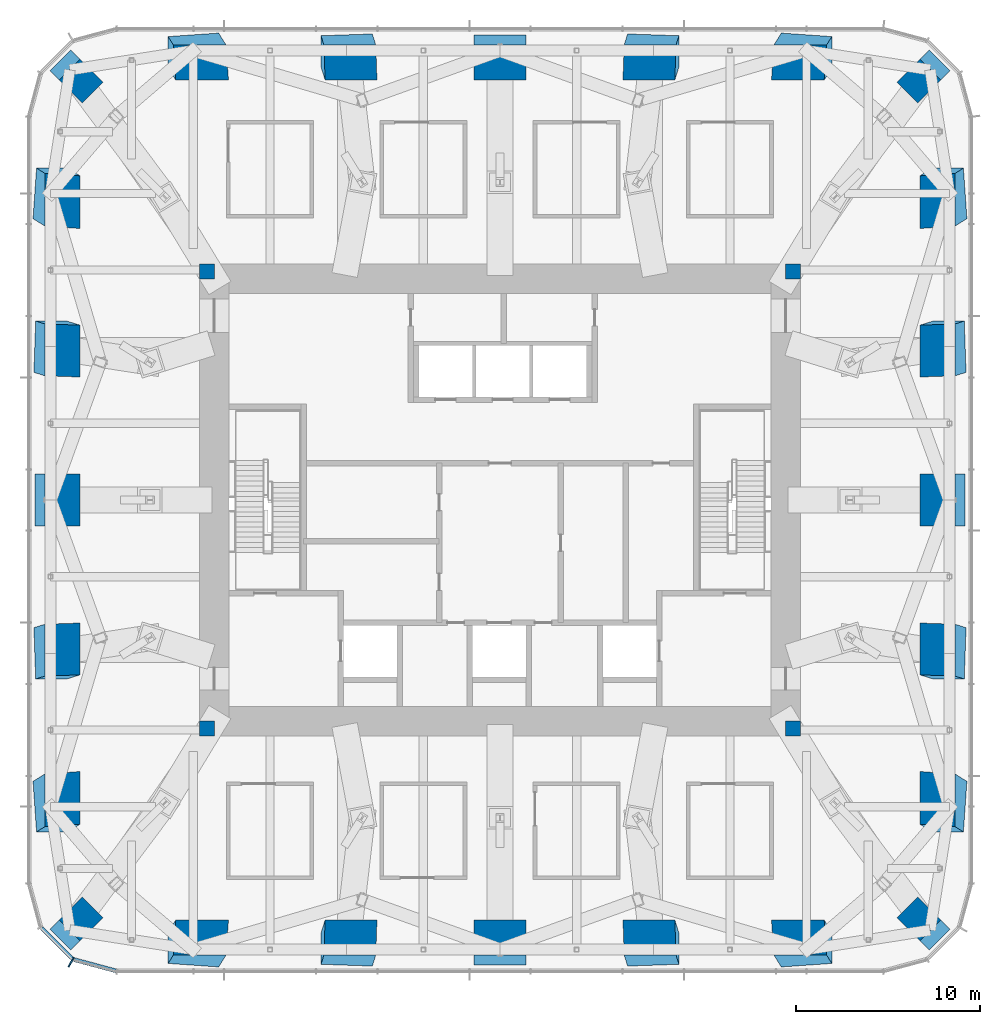
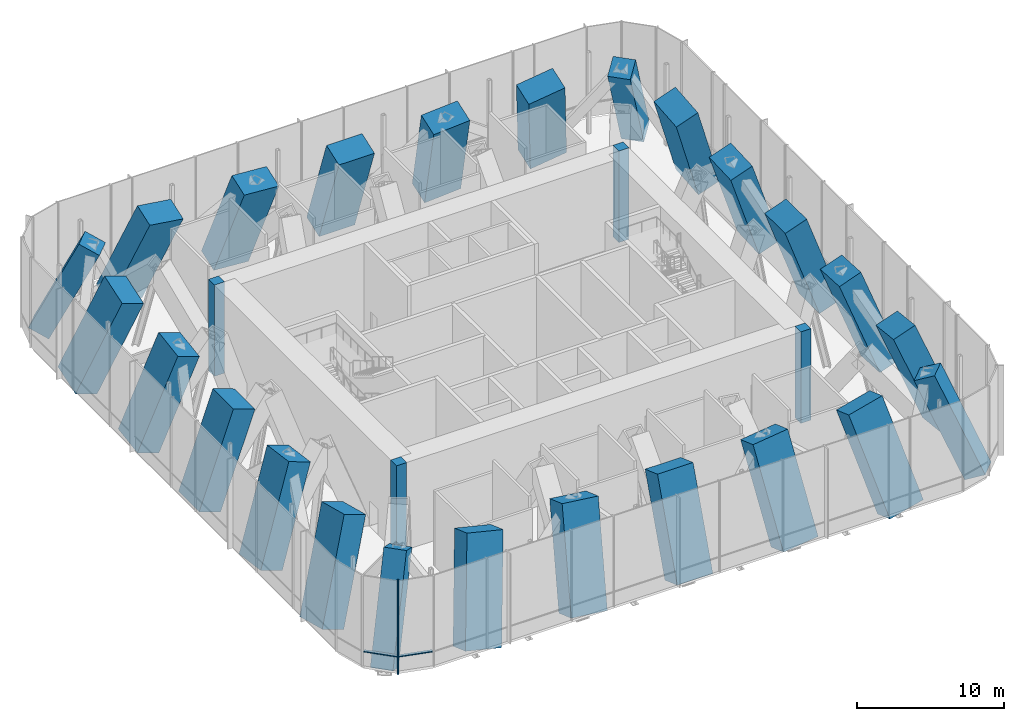
# One storey, part 1 of 16: 28 columns, 3 members, 1 element without a shape of its own.
"""IFC4 building model written with IfcOpenShell, lengths in metres."""

from ifc_helpers import new_model, si_unit, direction, frame, origin, origin_2d, place, context, subcontext, project, spatial, rectangle, extrude, material, material_profile, profile_set, type_object, element, aggregate, save


model = new_model("IFC4")

# Units and contexts
model_context = context("Model", 3, precision=1e-05, world=origin(), true_north=direction((0.0, 1.0)))
body_context = subcontext(model_context, "Body", "Model", "MODEL_VIEW")
ifc_project = project(units=[si_unit("LENGTHUNIT", "METRE"), si_unit("AREAUNIT", "SQUARE_METRE"), si_unit("VOLUMEUNIT", "CUBIC_METRE"), si_unit("PLANEANGLEUNIT", "RADIAN"), si_unit("MASSUNIT", "GRAM", prefix="KILO")], contexts=[model_context])

# Site, building, storey
site_placement = place(None, origin())
site = spatial("IfcSite", under=ifc_project, at=site_placement, CompositionType="ELEMENT")
building_placement = place(site_placement, origin())
building = spatial("IfcBuilding", under=site, at=building_placement, Name="Khuree Lantern Residences", CompositionType="ELEMENT")
storey_placement = place(building_placement, frame((0.0, 0.0, 278.25)))
storey = spatial("IfcBuildingStorey", under=building, at=storey_placement, Name="L70", CompositionType="ELEMENT", Elevation=278.25)

# Columns
ifc_material_1 = material(Name="Concrete C70/85", Category="concrete")
ifc_material_profile_1 = material_profile(ifc_material_1, rectangle(XDim=1.60009765625, YDim=1.60009765625, at=origin_2d()), Name="RC 1600X1600")
ifc_profile_set_1 = profile_set([ifc_material_profile_1], Name="Concrete C70/85")
column_type_1 = type_object("IfcColumnType", Name="CC1600A PERIMETER CORNER COLUMN RC 1600X1600", PredefinedType="COLUMN", material=ifc_profile_set_1)
for number, where, z_axis, x_axis, name in (
    (1, (23.345703125, 23.345703125, -0.64990234375), (-0.300646716557, -0.300646716557, 0.905109442911), (0.707106781187, -0.707106781187, 0.0), "Perimeter column NE"),
    (2, (23.345703125, -23.345703125, -0.64990234375), (-0.300646716557, 0.300646716557, 0.905109442911), (0.707106781187, 0.707106781187, 0.0), "Perimeter column SE"),
    (3, (-23.345703125, -23.345703125, -0.64990234375), (0.300646716557, 0.300646716557, 0.905109442911), (0.707106781187, -0.707106781187, 0.0), "Perimeter column SW"),
    (4, (-23.345703125, 23.345703125, -0.64990234375), (0.300646716557, -0.300646716557, 0.905109442911), (0.707106781187, 0.707106781187, 0.0), "Perimeter column NW"),
):
    element("IfcColumn", number, at=place(storey_placement, frame(where, z_axis=z_axis, x_axis=x_axis)), inside=storey, type_object=column_type_1, Name=name, PredefinedType="COLUMN", context=body_context, shape_type="SweptSolid", body=[
        extrude(rectangle(XDim=1.60009765625, YDim=1.60009765625, at=origin_2d()), origin(), (0.0, 0.0, 1.0), 8.396728515625),
    ])
ifc_material_2 = material(Name="Concrete C50/60", Category="concrete")
ifc_material_profile_2 = material_profile(ifc_material_2, rectangle(XDim=0.800048828125, YDim=0.800048828125, at=origin_2d()), Name="RC 800X800")
ifc_profile_set_2 = profile_set([ifc_material_profile_2], Name="Concrete C50/60")
column_type_2 = type_object("IfcColumnType", Name="CP800-C50 CORE CORNER PIER C50 RC 800X800", PredefinedType="COLUMN", material=ifc_profile_set_2)
for number, where, z_axis, x_axis, name in (
    (5, (15.89990234375, 12.39990234375, -0.35009765625), (0.0, 0.0, 1.0), (1.0, 0.0, 0.0), "Core corner pier NE"),
    (6, (-15.89990234375, 12.39990234375, -0.35009765625), (0.0, 0.0, 1.0), (1.0, 0.0, 0.0), "Core corner pier NW"),
    (7, (-15.89990234375, -12.39990234375, -0.35009765625), (0.0, 0.0, 1.0), (1.0, 0.0, 0.0), "Core corner pier SW"),
    (8, (15.89990234375, -12.39990234375, -0.35009765625), (0.0, 0.0, 1.0), (1.0, 0.0, 0.0), "Core corner pier SE"),
):
    element("IfcColumn", number, at=place(storey_placement, frame(where, z_axis=z_axis, x_axis=x_axis)), inside=storey, type_object=column_type_2, Name=name, PredefinedType="COLUMN", context=body_context, shape_type="SweptSolid", body=[
        extrude(rectangle(XDim=0.800048828125, YDim=0.800048828125, at=origin_2d()), origin(), (0.0, 0.0, 1.0), 7.60009765625),
    ])
ifc_material_profile_3 = material_profile(ifc_material_1, rectangle(XDim=2.800048828125, YDim=1.800048828125, at=origin_2d()), Name="RC 2800X1800")
ifc_profile_set_3 = profile_set([ifc_material_profile_3], Name="Concrete C70/85")
column_type_3 = type_object("IfcColumnType", Name="PC2 PERIMETER COLUMN RC 2800X1800", PredefinedType="COLUMN", material=ifc_profile_set_3)
column_1_placement = place(storey_placement, frame((-16.639892578125, 24.39990234375, -0.64990234375), z_axis=(0.203917129379, -0.327731366633, 0.922502008492), x_axis=(0.978988153279, 0.068255512614, -0.192154575114)))
element("IfcColumn", 9, at=column_1_placement, inside=storey, type_object=column_type_3, Name="Perimeter column N1", PredefinedType="COLUMN", context=body_context, shape_type="SweptSolid", body=[
    extrude(rectangle(XDim=2.800048828125, YDim=1.800048828125, at=origin_2d()), origin(), (0.0, 0.0, 1.0), 8.23828125),
])
column_2_placement = place(storey_placement, frame((-8.320068359375, 24.39990234375, -0.64990234375), z_axis=(0.103601510687, -0.332963994967, 0.937230870724), x_axis=(0.994618884766, 0.034712905596, -0.097612951251)))
element("IfcColumn", 10, at=column_2_placement, inside=storey, type_object=column_type_3, Name="Perimeter column N2", PredefinedType="COLUMN", context=body_context, shape_type="SweptSolid", body=[
    extrude(rectangle(XDim=2.800048828125, YDim=1.800048828125, at=origin_2d()), origin(), (0.0, 0.0, 1.0), 8.10888671875),
])
column_3_placement = place(storey_placement, frame((0.0, 24.39990234375, -0.64990234375), z_axis=(0.0, -0.334765406017, 0.942301503201), x_axis=(1.0, 0.0, 0.0)))
element("IfcColumn", 11, at=column_3_placement, inside=storey, type_object=column_type_3, Name="Perimeter column N3", PredefinedType="COLUMN", context=body_context, shape_type="SweptSolid", body=[
    extrude(rectangle(XDim=2.800048828125, YDim=1.800048828125, at=origin_2d()), origin(), (0.0, 0.0, 1.0), 8.065185546875),
])
column_4_placement = place(storey_placement, frame((8.320068359375, 24.39990234375, -0.64990234375), z_axis=(-0.103601510687, -0.332963994967, 0.937230870724), x_axis=(0.994618884766, -0.034712905596, 0.097612951251)))
element("IfcColumn", 12, at=column_4_placement, inside=storey, type_object=column_type_3, Name="Perimeter column N4", PredefinedType="COLUMN", context=body_context, shape_type="SweptSolid", body=[
    extrude(rectangle(XDim=2.800048828125, YDim=1.800048828125, at=origin_2d()), origin(), (0.0, 0.0, 1.0), 8.10888671875),
])
for number, where, z_axis, x_axis, name in (
    (13, (16.639892578125, 24.39990234375, -0.64990234375), (-0.203917129379, -0.327731366633, 0.922502008492), (0.978988153279, -0.068255512614, 0.192154575114), "Perimeter column N5"),
    (14, (24.39990234375, 16.639892578125, -0.64990234375), (-0.327731366633, -0.203917129379, 0.922502008492), (-0.068255512614, 0.978988153279, 0.192154575114), "Perimeter column E1"),
):
    element("IfcColumn", number, at=place(storey_placement, frame(where, z_axis=z_axis, x_axis=x_axis)), inside=storey, type_object=column_type_3, Name=name, PredefinedType="COLUMN", context=body_context, shape_type="SweptSolid", body=[
        extrude(rectangle(XDim=2.800048828125, YDim=1.800048828125, at=origin_2d()), origin(), (0.0, 0.0, 1.0), 8.23828125),
    ])
column_5_placement = place(storey_placement, frame((24.39990234375, 8.320068359375, -0.64990234375), z_axis=(-0.332963994967, -0.103601510687, 0.937230870724), x_axis=(-0.034712905596, 0.994618884766, 0.097612951251)))
element("IfcColumn", 15, at=column_5_placement, inside=storey, type_object=column_type_3, Name="Perimeter column E2", PredefinedType="COLUMN", context=body_context, shape_type="SweptSolid", body=[
    extrude(rectangle(XDim=2.800048828125, YDim=1.800048828125, at=origin_2d()), origin(), (0.0, 0.0, 1.0), 8.10888671875),
])
column_6_placement = place(storey_placement, frame((24.39990234375, 0.0, -0.64990234375), z_axis=(-0.334765406017, 0.0, 0.942301503201), x_axis=(0.0, 1.0, 0.0)))
element("IfcColumn", 16, at=column_6_placement, inside=storey, type_object=column_type_3, Name="Perimeter column E3", PredefinedType="COLUMN", context=body_context, shape_type="SweptSolid", body=[
    extrude(rectangle(XDim=2.800048828125, YDim=1.800048828125, at=origin_2d()), origin(), (0.0, 0.0, 1.0), 8.065185546875),
])
column_7_placement = place(storey_placement, frame((24.39990234375, -8.320068359375, -0.64990234375), z_axis=(-0.332963994967, 0.103601510687, 0.937230870724), x_axis=(0.034712905596, 0.994618884766, -0.097612951251)))
element("IfcColumn", 17, at=column_7_placement, inside=storey, type_object=column_type_3, Name="Perimeter column E4", PredefinedType="COLUMN", context=body_context, shape_type="SweptSolid", body=[
    extrude(rectangle(XDim=2.800048828125, YDim=1.800048828125, at=origin_2d()), origin(), (0.0, 0.0, 1.0), 8.10888671875),
])
for number, where, z_axis, x_axis, name in (
    (18, (24.39990234375, -16.639892578125, -0.64990234375), (-0.327731366633, 0.203917129379, 0.922502008492), (0.068255512614, 0.978988153279, -0.192154575114), "Perimeter column E5"),
    (19, (16.639892578125, -24.39990234375, -0.64990234375), (-0.203917129379, 0.327731366633, 0.922502008492), (0.978988153279, 0.068255512614, 0.192154575114), "Perimeter column S1"),
):
    element("IfcColumn", number, at=place(storey_placement, frame(where, z_axis=z_axis, x_axis=x_axis)), inside=storey, type_object=column_type_3, Name=name, PredefinedType="COLUMN", context=body_context, shape_type="SweptSolid", body=[
        extrude(rectangle(XDim=2.800048828125, YDim=1.800048828125, at=origin_2d()), origin(), (0.0, 0.0, 1.0), 8.23828125),
    ])
column_8_placement = place(storey_placement, frame((8.320068359375, -24.39990234375, -0.64990234375), z_axis=(-0.103601510687, 0.332963994967, 0.937230870724), x_axis=(0.994618884766, 0.034712905596, 0.097612951251)))
element("IfcColumn", 20, at=column_8_placement, inside=storey, type_object=column_type_3, Name="Perimeter column S2", PredefinedType="COLUMN", context=body_context, shape_type="SweptSolid", body=[
    extrude(rectangle(XDim=2.800048828125, YDim=1.800048828125, at=origin_2d()), origin(), (0.0, 0.0, 1.0), 8.10888671875),
])
column_9_placement = place(storey_placement, frame((0.0, -24.39990234375, -0.64990234375), z_axis=(0.0, 0.334765406017, 0.942301503201), x_axis=(1.0, 0.0, 0.0)))
element("IfcColumn", 21, at=column_9_placement, inside=storey, type_object=column_type_3, Name="Perimeter column S3", PredefinedType="COLUMN", context=body_context, shape_type="SweptSolid", body=[
    extrude(rectangle(XDim=2.800048828125, YDim=1.800048828125, at=origin_2d()), origin(), (0.0, 0.0, 1.0), 8.065185546875),
])
column_10_placement = place(storey_placement, frame((-8.320068359375, -24.39990234375, -0.64990234375), z_axis=(0.103601510687, 0.332963994967, 0.937230870724), x_axis=(0.994618884766, -0.034712905596, -0.097612951251)))
element("IfcColumn", 22, at=column_10_placement, inside=storey, type_object=column_type_3, Name="Perimeter column S4", PredefinedType="COLUMN", context=body_context, shape_type="SweptSolid", body=[
    extrude(rectangle(XDim=2.800048828125, YDim=1.800048828125, at=origin_2d()), origin(), (0.0, 0.0, 1.0), 8.10888671875),
])
for number, where, z_axis, x_axis, name in (
    (23, (-16.639892578125, -24.39990234375, -0.64990234375), (0.203917129379, 0.327731366633, 0.922502008492), (0.978988153279, -0.068255512614, -0.192154575114), "Perimeter column S5"),
    (24, (-24.39990234375, -16.639892578125, -0.64990234375), (0.327731366633, 0.203917129379, 0.922502008492), (-0.068255512614, 0.978988153279, -0.192154575114), "Perimeter column W1"),
):
    element("IfcColumn", number, at=place(storey_placement, frame(where, z_axis=z_axis, x_axis=x_axis)), inside=storey, type_object=column_type_3, Name=name, PredefinedType="COLUMN", context=body_context, shape_type="SweptSolid", body=[
        extrude(rectangle(XDim=2.800048828125, YDim=1.800048828125, at=origin_2d()), origin(), (0.0, 0.0, 1.0), 8.23828125),
    ])
column_11_placement = place(storey_placement, frame((-24.39990234375, -8.320068359375, -0.64990234375), z_axis=(0.332963994967, 0.103601510687, 0.937230870724), x_axis=(-0.034712905596, 0.994618884766, -0.097612951251)))
element("IfcColumn", 25, at=column_11_placement, inside=storey, type_object=column_type_3, Name="Perimeter column W2", PredefinedType="COLUMN", context=body_context, shape_type="SweptSolid", body=[
    extrude(rectangle(XDim=2.800048828125, YDim=1.800048828125, at=origin_2d()), origin(), (0.0, 0.0, 1.0), 8.10888671875),
])
column_12_placement = place(storey_placement, frame((-24.39990234375, 0.0, -0.64990234375), z_axis=(0.334765406017, 0.0, 0.942301503201), x_axis=(0.0, 1.0, 0.0)))
element("IfcColumn", 26, at=column_12_placement, inside=storey, type_object=column_type_3, Name="Perimeter column W3", PredefinedType="COLUMN", context=body_context, shape_type="SweptSolid", body=[
    extrude(rectangle(XDim=2.800048828125, YDim=1.800048828125, at=origin_2d()), origin(), (0.0, 0.0, 1.0), 8.065185546875),
])
column_13_placement = place(storey_placement, frame((-24.39990234375, 8.320068359375, -0.64990234375), z_axis=(0.332963994967, -0.103601510687, 0.937230870724), x_axis=(0.034712905596, 0.994618884766, 0.097612951251)))
element("IfcColumn", 27, at=column_13_placement, inside=storey, type_object=column_type_3, Name="Perimeter column W4", PredefinedType="COLUMN", context=body_context, shape_type="SweptSolid", body=[
    extrude(rectangle(XDim=2.800048828125, YDim=1.800048828125, at=origin_2d()), origin(), (0.0, 0.0, 1.0), 8.10888671875),
])
column_14_placement = place(storey_placement, frame((-24.39990234375, 16.639892578125, -0.64990234375), z_axis=(0.327731366633, -0.203917129379, 0.922502008492), x_axis=(0.068255512614, 0.978988153279, 0.192154575114)))
element("IfcColumn", 28, at=column_14_placement, inside=storey, type_object=column_type_3, Name="Perimeter column W5", PredefinedType="COLUMN", context=body_context, shape_type="SweptSolid", body=[
    extrude(rectangle(XDim=2.800048828125, YDim=1.800048828125, at=origin_2d()), origin(), (0.0, 0.0, 1.0), 8.23828125),
])

# Curtain wall, members
ifc_material_3 = material(Name="Bronze anodised aluminium", Category="aluminium")
curtain_wall_type = type_object("IfcCurtainWallType", Name="CW-G PLANT STOREY LOUVRED CURTAIN WALL", PredefinedType="USERDEFINED", material=ifc_material_3)
curtain_wall_placement = place(storey_placement, origin())
curtain_wall = element("IfcCurtainWall", 29, at=curtain_wall_placement, inside=storey, type_object=curtain_wall_type, Name="L70 SOUTH-WEST CORNER CURTAIN WALL", ObjectType="Louvred curtain wall", PredefinedType="USERDEFINED")
ifc_material_profile_4 = material_profile(ifc_material_3, rectangle(XDim=0.080078125, YDim=0.60009765625, at=origin_2d()), Name="F2 80X600")
ifc_profile_set_4 = profile_set([ifc_material_profile_4], Name="Bronze anodised aluminium")
member_type_1 = type_object("IfcMemberType", Name="F2 BRONZE FIN MULLION PLANT 80X600", PredefinedType="MULLION", material=ifc_profile_set_4)
member_1_placement = place(storey_placement, frame((-23.27490234375, -25.0869140625, 0.0), z_axis=(0.0, 0.0, 1.0), x_axis=(0.866025409797, -0.499999989586, 0.0)))
member_1 = element("IfcMember", 30, at=member_1_placement, type_object=member_type_1, Name="L70 SOUTH-WEST CORNER FIN MULLION 45", PredefinedType="MULLION", context=body_context, shape_type="SweptSolid", body=[
    extrude(rectangle(XDim=0.080078125, YDim=0.60009765625, at=origin_2d()), origin(), (0.0, 0.0, 1.0), 7.5),
])
ifc_material_profile_5 = material_profile(ifc_material_3, rectangle(XDim=0.219970703125, YDim=0.080078125, at=origin_2d()), Name="T2 220X80")
ifc_profile_set_5 = profile_set([ifc_material_profile_5], Name="Bronze anodised aluminium")
member_type_2 = type_object("IfcMemberType", Name="TRANSOM T2 PLANT 220X80", PredefinedType="USERDEFINED", material=ifc_profile_set_5)
member_2_placement = place(storey_placement, frame((-24.880859375, -23.233642578125, 1.199951171875), z_axis=(0.707106781187, -0.707106781187, 0.0), x_axis=(0.707106781187, 0.707106781187, 0.0)))
member_2 = element("IfcMember", 31, at=member_2_placement, type_object=member_type_2, Name="L70 SOUTH-WEST CORNER TRANSOM 44.1", ObjectType="Transom", PredefinedType="USERDEFINED", context=body_context, shape_type="SweptSolid", body=[
    extrude(rectangle(XDim=0.219970703125, YDim=0.080078125, at=origin_2d()), origin(), (0.0, 0.0, 1.0), 2.32958984375),
])
member_3_placement = place(storey_placement, frame((-23.117431640625, -24.947998046875, 1.199951171875), z_axis=(0.965913244335, -0.258865997029, 0.0), x_axis=(0.258865997029, 0.965913244335, 0.0)))
member_3 = element("IfcMember", 32, at=member_3_placement, type_object=member_type_2, Name="L70 SOUTH-WEST CORNER TRANSOM 45.1", ObjectType="Transom", PredefinedType="USERDEFINED", context=body_context, shape_type="SweptSolid", body=[
    extrude(rectangle(XDim=0.219970703125, YDim=0.080078125, at=origin_2d()), origin(), (0.0, 0.0, 1.0), 2.348388671875),
])
aggregate(curtain_wall, [member_1, member_2, member_3])

save(model, "model.ifc")
